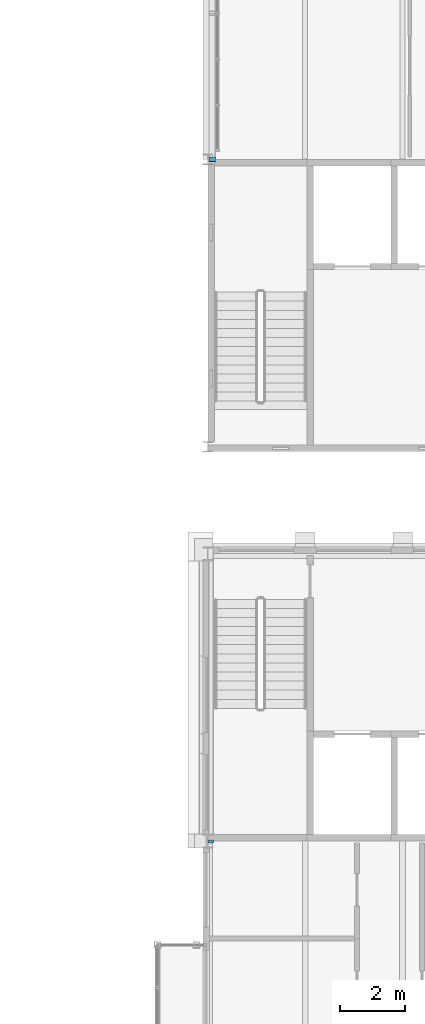
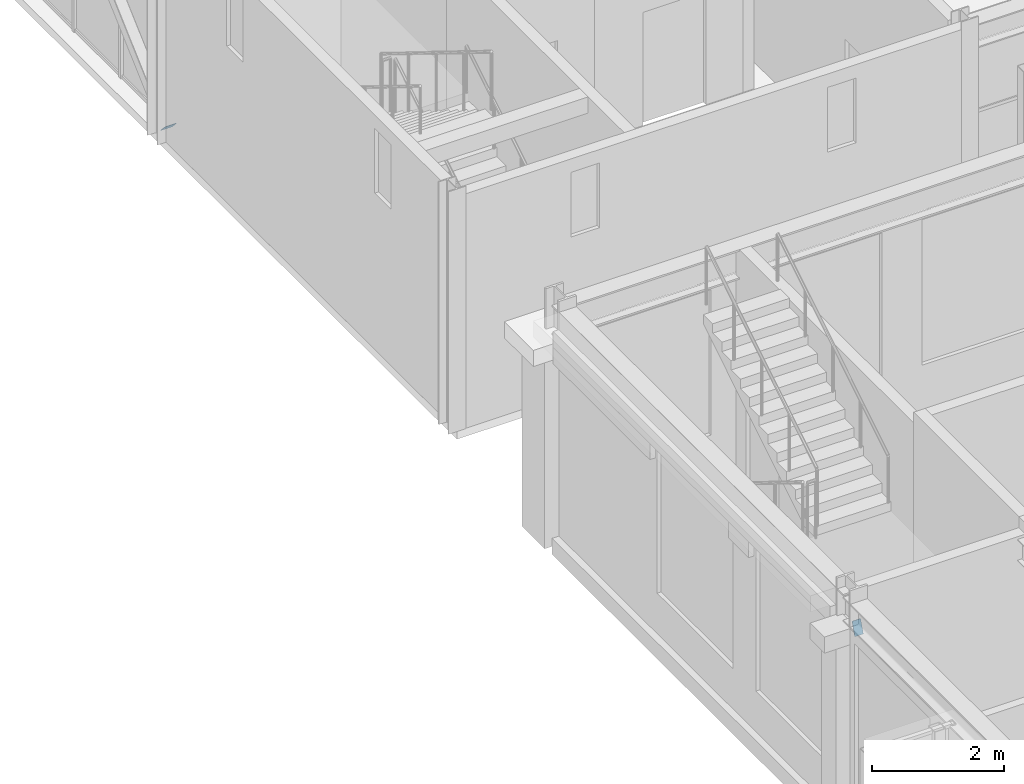
# One storey, part 84 of 111: 2 discrete accessories.
"""IFC4 building model written with IfcOpenShell, lengths in metres."""

from ifc_helpers import new_model, si_unit, direction, frame, origin, origin_2d, place, context, subcontext, project, spatial, rectangle, extrude, material, material_profile, profile_set, type_object, element, save


model = new_model("IFC4")

# Units and contexts
model_context = context("Model", 3, precision=1e-05, world=origin(), true_north=direction((0.0, 1.0)))
body_context = subcontext(model_context, "Body", "Model", "MODEL_VIEW")
ifc_project = project(units=[si_unit("LENGTHUNIT", "METRE"), si_unit("AREAUNIT", "SQUARE_METRE"), si_unit("VOLUMEUNIT", "CUBIC_METRE"), si_unit("PLANEANGLEUNIT", "RADIAN"), si_unit("MASSUNIT", "GRAM", prefix="KILO")], contexts=[model_context])

# Site, building, storey
site_placement = place(None, origin())
site = spatial("IfcSite", under=ifc_project, at=site_placement, CompositionType="ELEMENT")
building_placement = place(site_placement, origin())
building = spatial("IfcBuilding", under=site, at=building_placement, Name="Kallimachos Central Library", CompositionType="ELEMENT")
storey_placement = place(building_placement, frame((0.0, 0.0, 14.39990234375)))
storey = spatial("IfcBuildingStorey", under=building, at=storey_placement, Name="L03", CompositionType="ELEMENT", Elevation=14.39990234375)

# Discrete accessories
ifc_material_1 = material(Name="Steel S355J2", Category="steel")
ifc_material_profile_1 = material_profile(ifc_material_1, rectangle(XDim=0.14990234375, YDim=0.25, at=origin_2d()), Name="End cap plate 10, 150x250")
ifc_profile_set_1 = profile_set([ifc_material_profile_1], Name="Steel S355J2")
discrete_accessory_type_1 = type_object("IfcDiscreteAccessoryType", Name="End cap plate 10, 150x250", PredefinedType="BRACKET", material=ifc_profile_set_1)
discrete_accessory_1_placement = place(storey_placement, frame((65.60009765625, 75.0, 3.60009765625), z_axis=(0.0, -0.941194670762, 0.337864753607), x_axis=(1.0, 0.0, 0.0)))
element("IfcDiscreteAccessory", 1, at=discrete_accessory_1_placement, inside=storey, type_object=discrete_accessory_type_1, Name="End cap plate", PredefinedType="BRACKET", context=body_context, shape_type="SweptSolid", body=[
    extrude(rectangle(XDim=0.14990234375, YDim=0.25, at=origin_2d()), origin(), (0.0, 0.0, 1.0), 0.010009765625),
])
ifc_material_2 = material(Name="Steel S355J2", Category="steel")
ifc_material_profile_2 = material_profile(ifc_material_2, rectangle(XDim=0.199951171875, YDim=0.199951171875, at=origin_2d()), Name="End cap plate 10, 200x200")
ifc_profile_set_2 = profile_set([ifc_material_profile_2], Name="Steel S355J2")
discrete_accessory_type_2 = type_object("IfcDiscreteAccessoryType", Name="End cap plate 10, 200x200", PredefinedType="BRACKET", material=ifc_profile_set_2)
discrete_accessory_2_placement = place(storey_placement, frame((65.635009765625, 95.99267578125, 0.143310546875), z_axis=(0.0, 0.731055268243, 0.68231825036), x_axis=(-1.0, 0.0, 0.0)))
element("IfcDiscreteAccessory", 2, at=discrete_accessory_2_placement, inside=storey, type_object=discrete_accessory_type_2, Name="End cap plate", PredefinedType="BRACKET", context=body_context, shape_type="SweptSolid", body=[
    extrude(rectangle(XDim=0.199951171875, YDim=0.199951171875, at=origin_2d()), origin(), (0.0, 0.0, 1.0), 0.010009765625),
])

save(model, "model.ifc")
